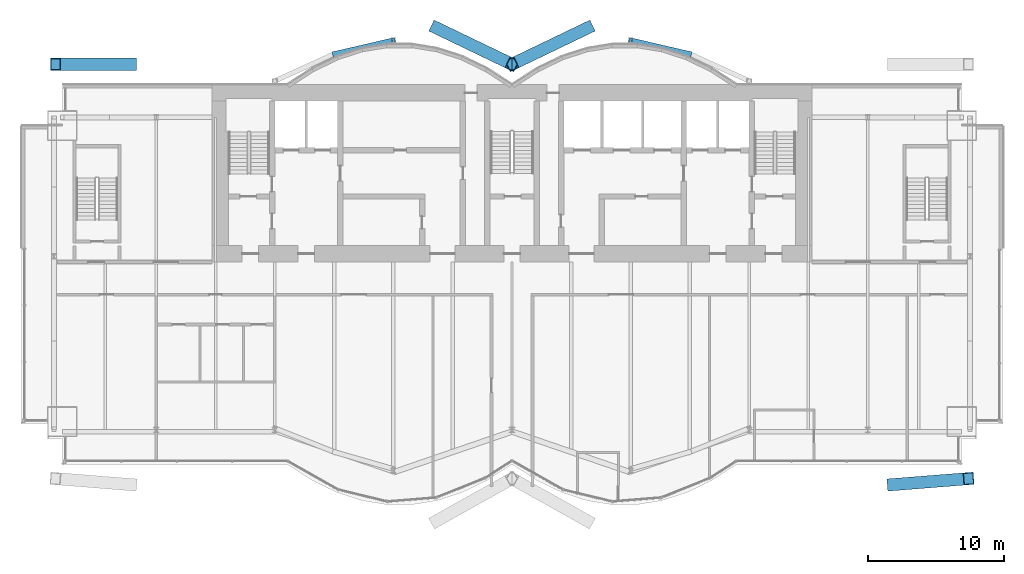
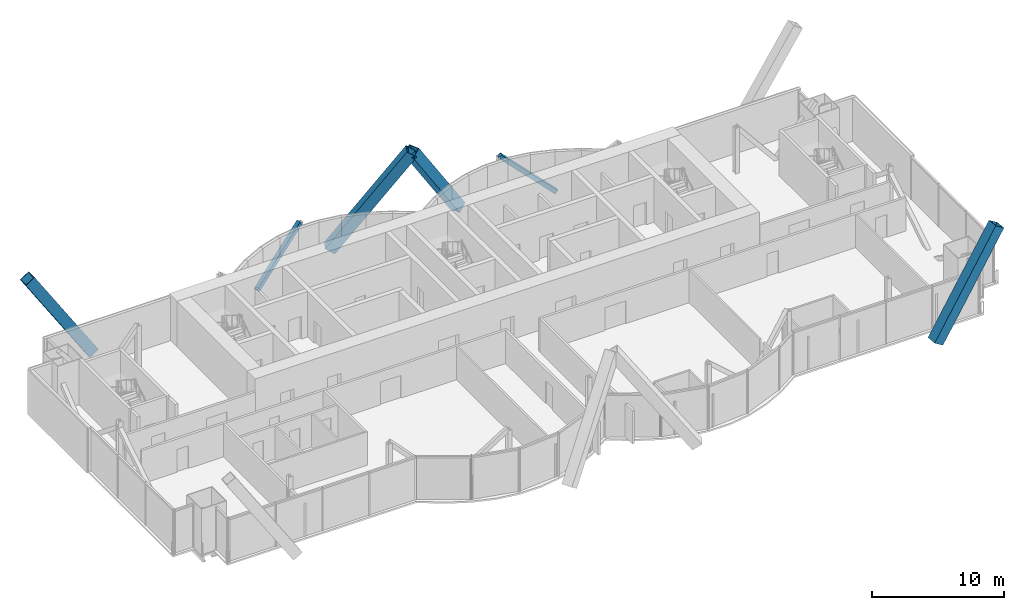
# One storey, part 10 of 19: 6 members.
"""IFC4 building model written with IfcOpenShell, lengths in metres."""

from ifc_helpers import new_model, si_unit, direction, frame, origin, origin_2d, place, context, subcontext, project, spatial, hollow_rectangle, extrude, material, material_profile, profile_set, type_object, element, save


model = new_model("IFC4")

# Units and contexts
model_context = context("Model", 3, precision=1e-05, world=origin(), true_north=direction((0.0, 1.0)))
body_context = subcontext(model_context, "Body", "Model", "MODEL_VIEW")
ifc_project = project(units=[si_unit("LENGTHUNIT", "METRE"), si_unit("AREAUNIT", "SQUARE_METRE"), si_unit("VOLUMEUNIT", "CUBIC_METRE"), si_unit("PLANEANGLEUNIT", "RADIAN"), si_unit("MASSUNIT", "GRAM", prefix="KILO")], contexts=[model_context])

# Site, building, storey
site_placement = place(None, origin())
site = spatial("IfcSite", under=ifc_project, at=site_placement, CompositionType="ELEMENT")
building_placement = place(site_placement, origin())
building = spatial("IfcBuilding", under=site, at=building_placement, Name="Bicima Exchange Tower", CompositionType="ELEMENT")
storey_placement = place(building_placement, frame((0.0, 0.0, 283.39990234375)))
storey = spatial("IfcBuildingStorey", under=building, at=storey_placement, Name="L64", CompositionType="ELEMENT", Elevation=283.39990234375)

# Members
ifc_material = material(Name="Steel ASTM A572 Gr 50", Category="steel")
ifc_material_profile_1 = material_profile(ifc_material, hollow_rectangle(XDim=0.89990234375, YDim=0.89990234375, WallThickness=0.050048828125, at=origin_2d()))
ifc_profile_set_1 = profile_set([ifc_material_profile_1], Name="Steel ASTM A572 Gr 50")
member_type_1 = type_object("IfcMemberType", Name="Exo mega brace BOX 900x900x50", PredefinedType="BRACE", material=ifc_profile_set_1)
member_1_placement = place(storey_placement, frame((27.916748046875, -29.34228515625, 0.10009765625), z_axis=(0.544016841712, 0.043033209439, 0.837970058426), x_axis=(-0.078856388539, 0.996885986453, 0.0)))
element("IfcMember", 1, at=member_1_placement, inside=storey, type_object=member_type_1, Name="Exo mega brace front", PredefinedType="BRACE", context=body_context, shape_type="SweptSolid", body=[
    extrude(hollow_rectangle(XDim=0.89990234375, YDim=0.89990234375, WallThickness=0.050048828125, at=origin_2d()), origin(), (0.0, 0.0, 1.0), 10.262939453125),
])
member_2_placement = place(storey_placement, frame((-5.583251953125, 4.1865234375, 0.10009765625), z_axis=(0.526741126284, -0.253454867009, 0.811359609711), x_axis=(0.433591692225, 0.901109451972, 0.0)))
element("IfcMember", 2, at=member_2_placement, inside=storey, type_object=member_type_1, Name="Exo mega brace rear", PredefinedType="BRACE", context=body_context, shape_type="SweptSolid", body=[
    extrude(hollow_rectangle(XDim=0.89990234375, YDim=0.89990234375, WallThickness=0.050048828125, at=origin_2d()), origin(), (0.0, 0.0, 1.0), 10.599609375),
])
member_3_placement = place(storey_placement, frame((-27.916748046875, 1.5, 0.10009765625), z_axis=(-0.544521263137, 0.0, 0.838747038142), x_axis=(0.0, -1.0, 0.0)))
element("IfcMember", 3, at=member_3_placement, inside=storey, type_object=member_type_1, Name="Exo mega brace rear", PredefinedType="BRACE", context=body_context, shape_type="SweptSolid", body=[
    extrude(hollow_rectangle(XDim=0.89990234375, YDim=0.89990234375, WallThickness=0.050048828125, at=origin_2d()), origin(), (0.0, 0.0, 1.0), 10.25341796875),
])
member_4_placement = place(storey_placement, frame((5.583251953125, 4.1865234375, 0.10009765625), z_axis=(-0.526741126284, -0.253454867009, 0.811359609711), x_axis=(0.433591692225, -0.901109451972, 0.0)))
element("IfcMember", 4, at=member_4_placement, inside=storey, type_object=member_type_1, Name="Exo mega brace rear", PredefinedType="BRACE", context=body_context, shape_type="SweptSolid", body=[
    extrude(hollow_rectangle(XDim=0.89990234375, YDim=0.89990234375, WallThickness=0.050048828125, at=origin_2d()), origin(), (0.0, 0.0, 1.0), 10.599609375),
])
ifc_material_profile_2 = material_profile(ifc_material, hollow_rectangle(XDim=0.355712890625, YDim=0.355712890625, WallThickness=0.0146484375, at=origin_2d()))
ifc_profile_set_2 = profile_set([ifc_material_profile_2], Name="Steel ASTM A572 Gr 50")
member_type_2 = type_object("IfcMemberType", Name="Mega brace HSS14x14x5/8", PredefinedType="BRACE", material=ifc_profile_set_2)
for number, where, z_axis, x_axis, name in (
    (5, (-13.050048828125, 2.262451171875, 0.0), (0.709628288402, 0.16420459272, 0.685174827347), (-0.225438503722, 0.974257399787, 0.0), "Mega brace rexo"),
    (6, (13.050048828125, 2.262451171875, 0.0), (-0.709628288402, 0.16420459272, 0.685174827347), (-0.225438503722, -0.974257399787, 0.0), "Mega brace rexo"),
):
    element("IfcMember", number, at=place(storey_placement, frame(where, z_axis=z_axis, x_axis=x_axis)), inside=storey, type_object=member_type_2, Name=name, PredefinedType="BRACE", context=body_context, shape_type="SweptSolid", body=[
        extrude(hollow_rectangle(XDim=0.355712890625, YDim=0.355712890625, WallThickness=0.0146484375, at=origin_2d()), origin(), (0.0, 0.0, 1.0), 6.130126953125),
    ])

save(model, "model.ifc")
